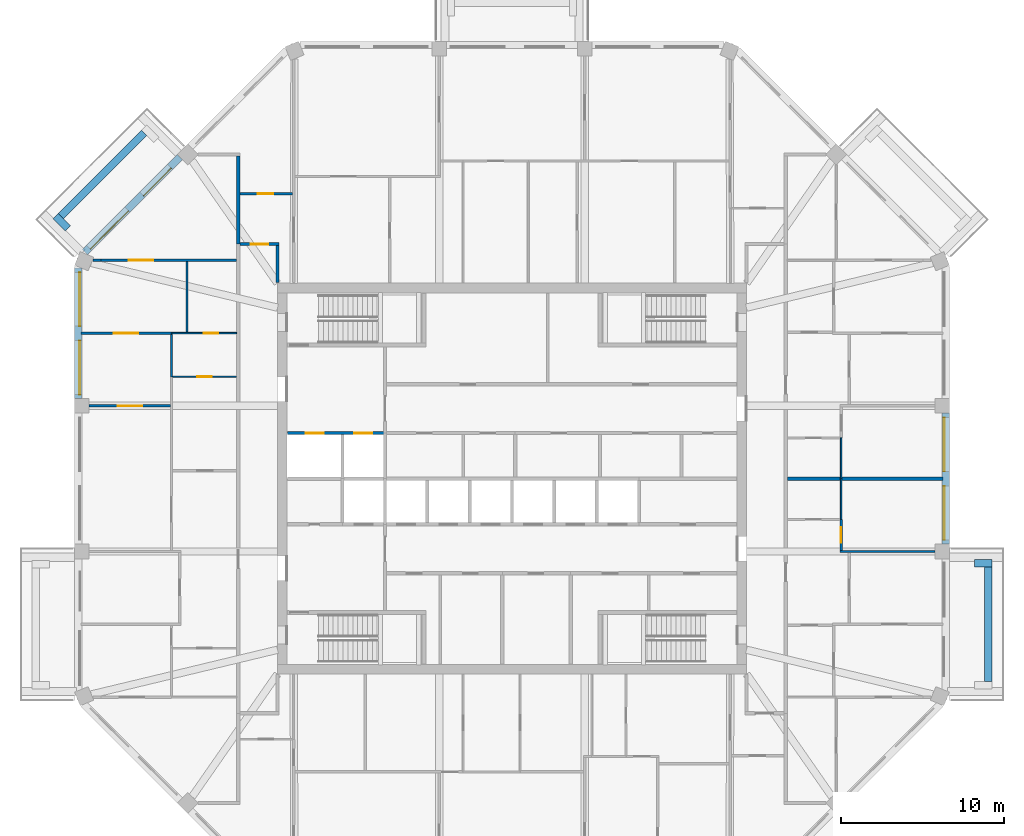
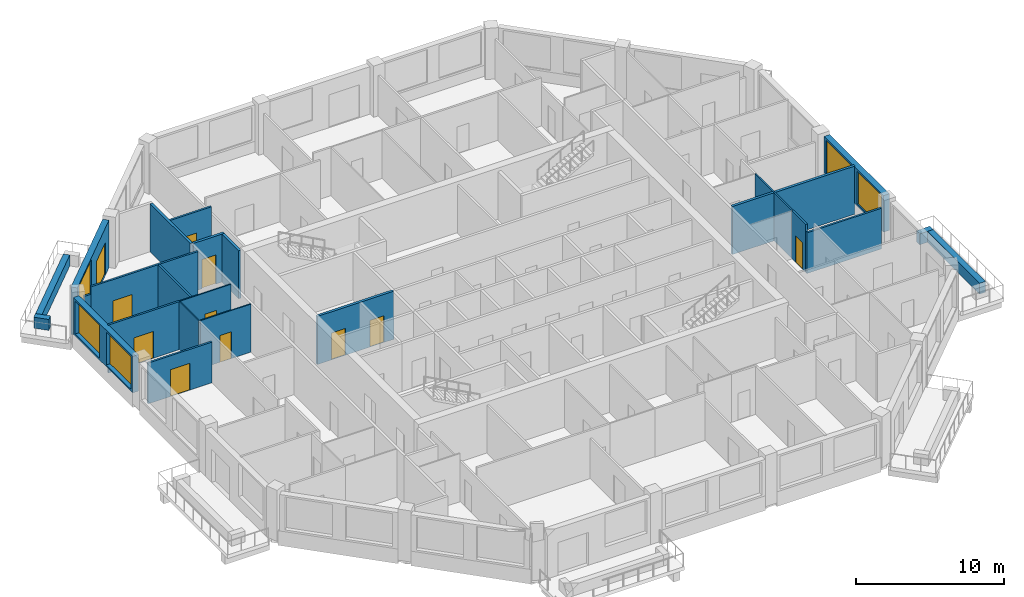
# One storey, part 7 of 11: 25 walls, 11 doors, 5 windows, 16 openings.
"""IFC4 building model written with IfcOpenShell, lengths in metres."""

import ifcopenshell
import ifcopenshell.guid

model = None  # the IFC model being written
_history = None  # IfcOwnerHistory: only IFC2X3 demands one
_inside = {}  # id of a spatial element -> (the spatial element, [elements in it])
_under = {}  # id of a project, library or spatial element -> (it, [spatial elements below it])
_declared = {}  # id of a project -> (the project, [libraries it declares])
_typed = {}  # id of a type object -> (the type object, [elements of that type])
_made_of = {}  # id of a material, layer set ... -> (it, [elements and type objects made of it])


def new_model(schema):
    """Start an empty IFC model of exactly this schema.

    Asked for "IFC4X3", IfcOpenShell would pick the latest addendum, in which some entities
    have other attributes; the version numbers below select the first issue.
    IFC2X3 requires an IfcOwnerHistory on every rooted entity: one is made here for all.
    """
    global model, _history
    if schema == "IFC4X3":
        model = ifcopenshell.file(schema_version=(4, 3, 0, 0))
    else:
        model = ifcopenshell.file(schema=schema)
    _inside.clear()
    _under.clear()
    _declared.clear()
    _typed.clear()
    _made_of.clear()
    _history = None
    if model.schema == "IFC2X3":
        org = make("IfcOrganization", Name="unknown")
        user = make(
            "IfcPersonAndOrganization",
            ThePerson=make("IfcPerson", FamilyName="unknown"),
            TheOrganization=org,
        )
        app = make(
            "IfcApplication",
            ApplicationDeveloper=org,
            Version="unknown",
            ApplicationFullName="unknown",
            ApplicationIdentifier="unknown",
        )
        _history = make(
            "IfcOwnerHistory",
            OwningUser=user,
            OwningApplication=app,
            ChangeAction="ADDED",
            CreationDate=0,
        )
    return model


def make(cls, **values):
    """One entity of the class cls with the attributes given. An attribute that is None is left unset."""
    return model.create_entity(
        cls, **{name: value for name, value in values.items() if value is not None}
    )


def rooted(cls, **values):
    """An entity with a GlobalId (a new one), such as an element, a storey or a relation."""
    return make(cls, GlobalId=ifcopenshell.guid.new(), OwnerHistory=_history, **values)


def si_unit(unit_type, name, prefix=None):
    """IfcSIUnit, for example si_unit("LENGTHUNIT", "METRE", prefix="MILLI")."""
    return make("IfcSIUnit", UnitType=unit_type, Prefix=prefix, Name=name)


def assignment(units):
    """IfcUnitAssignment: the units of a project."""
    return None if units is None else make("IfcUnitAssignment", Units=units)


def point(xyz):
    """IfcCartesianPoint."""
    return None if xyz is None else make("IfcCartesianPoint", Coordinates=xyz)


def direction(xyz):
    """IfcDirection."""
    return None if xyz is None else make("IfcDirection", DirectionRatios=xyz)


def frame(location, z_axis=None, x_axis=None):
    """IfcAxis2Placement3D, a coordinate frame: its origin and axes. An axis left out is left unset."""
    return make(
        "IfcAxis2Placement3D",
        Location=point(location),
        Axis=direction(z_axis),
        RefDirection=direction(x_axis),
    )


def frame_2d(location, x_axis=None):
    """IfcAxis2Placement2D, a coordinate frame in the plane: its origin and x axis."""
    return make(
        "IfcAxis2Placement2D", Location=point(location), RefDirection=direction(x_axis)
    )


def origin():
    """The frame at (0, 0, 0) with its axes left unset."""
    return frame((0.0, 0.0, 0.0))


def place(relative_to, where):
    """IfcLocalPlacement: puts the frame where relative to a parent placement (None: the world)."""
    return make(
        "IfcLocalPlacement", PlacementRelTo=relative_to, RelativePlacement=where
    )


def context(
    kind, dimensions, precision=None, world=None, true_north=None, identifier=None
):
    """IfcGeometricRepresentationContext, for example the 3D "Model" context."""
    return make(
        "IfcGeometricRepresentationContext",
        ContextIdentifier=identifier,
        ContextType=kind,
        CoordinateSpaceDimension=dimensions,
        Precision=precision,
        WorldCoordinateSystem=world,
        TrueNorth=true_north,
    )


def subcontext(parent, identifier, kind, view, scale=None):
    """IfcGeometricRepresentationSubContext, for example "Body" below "Model"."""
    return make(
        "IfcGeometricRepresentationSubContext",
        ContextIdentifier=identifier,
        ContextType=kind,
        ParentContext=parent,
        TargetScale=scale,
        TargetView=view,
    )


def project(units=None, contexts=None):
    """IfcProject with its units and contexts."""
    return rooted(
        "IfcProject",
        Name="project",
        RepresentationContexts=contexts,
        UnitsInContext=assignment(units),
    )


def spatial(cls, under=None, at=None, **own):
    """A site, building, storey or space (cls), placed at a placement, below another one or the project."""
    s = rooted(cls, ObjectPlacement=at, **own)
    if under is not None:
        _under.setdefault(under.id(), (under, []))[1].append(s)
    return s


def profile(cls, at=None, kind="AREA", **sizes):
    """A parametric profile (cls). Its sizes go by their IFC names, for example OverallWidth=200.0."""
    return make(cls, ProfileType=kind, Position=at, **sizes)


def rectangle(**sizes):
    """IfcRectangleProfileDef."""
    return profile("IfcRectangleProfileDef", **sizes)


def extrude(swept, where, along, depth):
    """IfcExtrudedAreaSolid: the profile swept, set in the frame where, extruded along a direction by depth."""
    return make(
        "IfcExtrudedAreaSolid",
        SweptArea=swept,
        Position=where,
        ExtrudedDirection=direction(along),
        Depth=depth,
    )


def shape(context_of_items, identifier, shape_type, items):
    """IfcShapeRepresentation: the items that make up one representation, for example the "Body"."""
    return make(
        "IfcShapeRepresentation",
        ContextOfItems=context_of_items,
        RepresentationIdentifier=identifier,
        RepresentationType=shape_type,
        Items=items,
    )


def material(Name=None, Category=None):
    """IfcMaterial."""
    return make("IfcMaterial", Name=Name, Category=Category)


def layer(
    of_material, thickness, ventilated=None, Name=None, Category=None, Priority=None
):
    """IfcMaterialLayer: one layer of a wall or slab, of a material (None: an air gap)."""
    return make(
        "IfcMaterialLayer",
        Material=of_material,
        LayerThickness=thickness,
        IsVentilated=ventilated,
        Name=Name,
        Category=Category,
        Priority=Priority,
    )


def layer_set(layers, Name=None):
    """IfcMaterialLayerSet."""
    return make("IfcMaterialLayerSet", MaterialLayers=layers, LayerSetName=Name)


def made_of(thing, what):
    """Note that an element or type object is made of a material, layer set ...; save() writes the relation."""
    if what is not None:
        _made_of.setdefault(what.id(), (what, []))[1].append(thing)
    return thing


def type_object(cls, material=None, **own):
    """A type object (cls), such as IfcWallType, which elements share."""
    return made_of(rooted(cls, **own), material)


def element(
    cls,
    number,
    at=None,
    inside=None,
    cuts=None,
    type_object=None,
    material=None,
    context=None,
    identifier="Body",
    shape_type=None,
    held_by="IfcProductDefinitionShape",
    body=None,
    shapes=None,
    **own,
):
    """One element of the class cls, such as IfcWall. Its Tag is "e" and its number.

    at: its placement. inside: the storey or other place that contains it. cuts: it is an
    opening in that element (IfcRelVoidsElement). A single representation is given by context,
    identifier, shape_type and body (its items); several are given by shapes. held_by: the class
    of the entity that holds the representations. save() writes the other relations.
    """
    e = rooted(cls, Tag="e%d" % number, ObjectPlacement=at, **own)
    if body is not None:
        shapes = [shape(context, identifier, shape_type, body)]
    if shapes is not None:
        e.Representation = make(held_by, Representations=shapes)
    if inside is not None:
        _inside.setdefault(inside.id(), (inside, []))[1].append(e)
    if cuts is not None:
        rooted(
            "IfcRelVoidsElement", RelatingBuildingElement=cuts, RelatedOpeningElement=e
        )
    if type_object is not None:
        _typed.setdefault(type_object.id(), (type_object, []))[1].append(e)
    return made_of(e, material)


def fill(opening, filler):
    """IfcRelFillsElement: the door or window that sits in an opening."""
    return rooted(
        "IfcRelFillsElement",
        RelatingOpeningElement=opening,
        RelatedBuildingElement=filler,
    )


def aggregate(whole, parts):
    """IfcRelAggregates: a whole, such as a stair, and the parts it consists of."""
    return rooted("IfcRelAggregates", RelatingObject=whole, RelatedObjects=parts)


def save(model, path):
    """Write the relations noted so far, then the file.

    IfcRelAggregates (storeys below a building ...), IfcRelContainedInSpatialStructure (elements
    in a storey), IfcRelDefinesByType, IfcRelAssociatesMaterial and IfcRelDeclares: one each for
    every whole, place, type object, material and project.
    """
    for whole, parts in _under.values():
        aggregate(whole, parts)
    for where, things in _inside.values():
        rooted(
            "IfcRelContainedInSpatialStructure",
            RelatedElements=things,
            RelatingStructure=where,
        )
    for kind, things in _typed.values():
        rooted("IfcRelDefinesByType", RelatedObjects=things, RelatingType=kind)
    for what, things in _made_of.values():
        rooted("IfcRelAssociatesMaterial", RelatedObjects=things, RelatingMaterial=what)
    for by, libraries in _declared.values():
        rooted("IfcRelDeclares", RelatingContext=by, RelatedDefinitions=libraries)
    model.write(path)


model = new_model("IFC4")

# Units and contexts
model_context = context("Model", 3, precision=1e-05, world=origin(), true_north=direction((0.0, 1.0)))
body_context = subcontext(model_context, "Body", "Model", "MODEL_VIEW")
ifc_project = project(units=[si_unit("LENGTHUNIT", "METRE"), si_unit("AREAUNIT", "SQUARE_METRE"), si_unit("VOLUMEUNIT", "CUBIC_METRE"), si_unit("PLANEANGLEUNIT", "RADIAN"), si_unit("MASSUNIT", "GRAM", prefix="KILO")], contexts=[model_context])

# Site, building, storey
site_placement = place(None, origin())
site = spatial("IfcSite", under=ifc_project, at=site_placement, CompositionType="ELEMENT")
building_placement = place(site_placement, origin())
building = spatial("IfcBuilding", under=site, at=building_placement, Name="Msitu Wima Residences", CompositionType="ELEMENT")
storey_placement = place(building_placement, frame((0.0, 0.0, 268.5)))
storey = spatial("IfcBuildingStorey", under=building, at=storey_placement, Name="L62", CompositionType="ELEMENT", Elevation=268.5)

# Walls
ifc_material_1 = material(Name="Facing brick")
ifc_layer_1 = layer(ifc_material_1, 0.06494140625, Name="Facing brick")
ifc_material_2 = material(Name="Concrete C40/50", Category="concrete")
ifc_layer_2 = layer(ifc_material_2, 0.156005859375, Name="Concrete C40/50")
ifc_material_3 = material(Name="Waterproofing membrane")
ifc_layer_3 = layer(ifc_material_3, 0.00390625, Name="Waterproofing membrane")
ifc_material_4 = material(Name="Planting soil and planting")
ifc_layer_4 = layer(ifc_material_4, 0.22509765625, Name="Planting soil and planting")
ifc_layer_set_1 = layer_set([ifc_layer_1, ifc_layer_2, ifc_layer_3, ifc_layer_4], Name="Concrete C40/50")
wall_type_1 = type_object("IfcWallType", Name="Balcony planter PLANTER PL450", PredefinedType="USERDEFINED", material=ifc_layer_set_1)
wall_1_placement = place(storey_placement, frame((29.22509765625, -12.455810546875, 0.0), z_axis=(0.0, 0.0, 1.0), x_axis=(0.0, 1.0, 0.0)))
element("IfcWall", 1, at=wall_1_placement, inside=storey, type_object=wall_type_1, Name="Balcony planter E0 L62", ObjectType="PLANTER", PredefinedType="USERDEFINED", context=body_context, shape_type="SweptSolid", body=[
    extrude(rectangle(XDim=7.037109375, YDim=0.449951171875, at=frame_2d((3.5185546875, 0.0))), origin(), (0.0, 0.0, 1.0), 0.89990234375),
])
wall_2_placement = place(storey_placement, frame((28.39990234375, -5.193603515625, 0.0), z_axis=(0.0, 0.0, 1.0), x_axis=(1.0, 0.0, 0.0)))
element("IfcWall", 2, at=wall_2_placement, inside=storey, type_object=wall_type_1, Name="Balcony planter E0 L62", ObjectType="PLANTER", PredefinedType="USERDEFINED", context=body_context, shape_type="SweptSolid", body=[
    extrude(rectangle(XDim=1.050048828125, YDim=0.449951171875, at=frame_2d((0.52490234375, 0.0))), origin(), (0.0, 0.0, 1.0), 0.89990234375),
])
wall_3_placement = place(storey_placement, frame((-22.572265625, 21.228759765625, 0.0), z_axis=(0.0, 0.0, 1.0), x_axis=(-0.707106781187, -0.707106781187, 0.0)))
element("IfcWall", 3, at=wall_3_placement, inside=storey, type_object=wall_type_1, Name="Balcony planter NW1 L62", ObjectType="PLANTER", PredefinedType="USERDEFINED", context=body_context, shape_type="SweptSolid", body=[
    extrude(rectangle(XDim=7.23828125, YDim=0.449951171875, at=frame_2d((3.619140625, 0.0))), origin(), (0.0, 0.0, 1.0), 0.89990234375),
])
wall_4_placement = place(storey_placement, frame((-27.26611328125, 15.3681640625, 0.0), z_axis=(0.0, 0.0, 1.0), x_axis=(-0.707223014731, 0.706990528533, 0.0)))
element("IfcWall", 4, at=wall_4_placement, inside=storey, type_object=wall_type_1, Name="Balcony planter NW1 L62", ObjectType="PLANTER", PredefinedType="USERDEFINED", context=body_context, shape_type="SweptSolid", body=[
    extrude(rectangle(XDim=1.050048828125, YDim=0.449951171875, at=frame_2d((0.52490234375, 0.0))), origin(), (0.0, 0.0, 1.0), 0.89990234375),
])

# Wall, openings, windows
ifc_material_5 = material(Name="Brick (red buff mix)", Category="masonry")
ifc_layer_5 = layer(ifc_material_5, 0.449951171875)
ifc_layer_set_2 = layer_set([ifc_layer_5], Name="Brick (red buff mix)")
wall_type_2 = type_object("IfcWallType", Name="Brick infill wall BW450", PredefinedType="SOLIDWALL", material=ifc_layer_set_2)
wall_5_placement = place(storey_placement, frame((26.625, -4.0185546875, 0.89990234375), z_axis=(0.0, 0.0, 1.0), x_axis=(0.0, 1.0, 0.0)))
wall_5 = element("IfcWall", 5, at=wall_5_placement, inside=storey, type_object=wall_type_2, Name="Brick infill wall L62 E1", PredefinedType="SOLIDWALL", context=body_context, shape_type="SweptSolid", body=[
    extrude(rectangle(XDim=8.037109375, YDim=0.449951171875, at=frame_2d((4.0185546875, 0.0))), origin(), (0.0, 0.0, 1.0), 3.0),
])
opening_1_placement = place(wall_5_placement, frame((0.2685546875, 0.0, 0.14990234375)))
opening_1 = element("IfcOpeningElement", 6, at=opening_1_placement, cuts=wall_5, Name="Opening W60-62.002", PredefinedType="OPENING", context=body_context, shape_type="SweptSolid", body=[
    extrude(rectangle(XDim=3.300048828125, YDim=2.699951171875, at=frame_2d((1.64990234375, 1.35009765625))), frame((0.0, 0.23486328125, 0.0), z_axis=(0.0, -1.0, 0.0), x_axis=(1.0, 0.0, 0.0)), (0.0, 0.0, 1.0), 0.469970703125),
])
opening_2_placement = place(wall_5_placement, frame((4.46875, 0.0, 0.14990234375)))
opening_2 = element("IfcOpeningElement", 7, at=opening_2_placement, cuts=wall_5, Name="Opening W60-62.003", PredefinedType="OPENING", context=body_context, shape_type="SweptSolid", body=[
    extrude(rectangle(XDim=3.300048828125, YDim=2.699951171875, at=frame_2d((1.64990234375, 1.35009765625))), frame((0.0, 0.23486328125, 0.0), z_axis=(0.0, -1.0, 0.0), x_axis=(1.0, 0.0, 0.0)), (0.0, 0.0, 1.0), 0.469970703125),
])
ifc_material_6 = material(Name="Anodised aluminium, bronze finish, clear low-emissivity double glazing", Category="aluminium")
window_type = type_object("IfcWindowType", Name="Window W3300x2700", PartitioningType="DOUBLE_PANEL_VERTICAL", PredefinedType="WINDOW", material=ifc_material_6)
window_1_placement = place(opening_1_placement, origin())
window_1 = element("IfcWindow", 8, at=window_1_placement, inside=storey, type_object=window_type, Name="Window L62 E1.1", OverallHeight=2.699951171875, OverallWidth=3.300048828125, PartitioningType="SINGLE_PANEL", PredefinedType="WINDOW", context=body_context, shape_type="SweptSolid", body=[
    extrude(rectangle(XDim=3.300048828125, YDim=2.699951171875, at=frame_2d((1.64990234375, 1.35009765625))), frame((0.0, 0.135009765625, 0.0), z_axis=(0.0, -1.0, 0.0), x_axis=(1.0, 0.0, 0.0)), (0.0, 0.0, 1.0), 0.06005859375),
])
fill(opening_1, window_1)
window_2_placement = place(opening_2_placement, origin())
window_2 = element("IfcWindow", 9, at=window_2_placement, inside=storey, type_object=window_type, Name="Window L62 E1.2", OverallHeight=2.699951171875, OverallWidth=3.300048828125, PartitioningType="SINGLE_PANEL", PredefinedType="WINDOW", context=body_context, shape_type="SweptSolid", body=[
    extrude(rectangle(XDim=3.300048828125, YDim=2.699951171875, at=frame_2d((1.64990234375, 1.35009765625))), frame((0.0, 0.135009765625, 0.0), z_axis=(0.0, -1.0, 0.0), x_axis=(1.0, 0.0, 0.0)), (0.0, 0.0, 1.0), 0.06005859375),
])
fill(opening_2, window_2)

# Wall, openings, door, window
wall_6_placement = place(storey_placement, frame((-20.380126953125, 19.743896484375, 0.0), z_axis=(0.0, 0.0, 1.0), x_axis=(-0.707106781187, -0.707106781187, 0.0)))
wall_6 = element("IfcWall", 10, at=wall_6_placement, inside=storey, type_object=wall_type_2, Name="Brick infill wall L62 NW1", PredefinedType="SOLIDWALL", context=body_context, shape_type="SweptSolid", body=[
    extrude(rectangle(XDim=8.251220703125, YDim=0.449951171875, at=frame_2d((4.12548828125, 0.0))), origin(), (0.0, 0.0, 1.0), 3.89990234375),
])
opening_3_placement = place(wall_6_placement, frame((0.86279296875, 0.0, 0.0)))
opening_3 = element("IfcOpeningElement", 11, at=opening_3_placement, cuts=wall_6, Name="Opening D60-62.004", PredefinedType="OPENING", context=body_context, shape_type="SweptSolid", body=[
    extrude(rectangle(XDim=2.39990234375, YDim=2.699951171875, at=frame_2d((1.199951171875, 1.35009765625))), frame((0.0, 0.23486328125, 0.0), z_axis=(0.0, -1.0, 0.0), x_axis=(1.0, 0.0, 0.0)), (0.0, 0.0, 1.0), 0.469970703125),
])
opening_4_placement = place(wall_6_placement, frame((4.57568359375, 0.0, 1.050048828125)))
opening_4 = element("IfcOpeningElement", 12, at=opening_4_placement, cuts=wall_6, Name="Opening W60-62.016", PredefinedType="OPENING", context=body_context, shape_type="SweptSolid", body=[
    extrude(rectangle(XDim=3.300048828125, YDim=2.699951171875, at=frame_2d((1.64990234375, 1.35009765625))), frame((0.0, 0.23486328125, 0.0), z_axis=(0.0, -1.0, 0.0), x_axis=(1.0, 0.0, 0.0)), (0.0, 0.0, 1.0), 0.469970703125),
])
door_type_1 = type_object("IfcDoorType", Name="Balcony door D2400x2700", OperationType="SLIDING_TO_LEFT", PredefinedType="DOOR", material=ifc_material_6)
door_1_placement = place(opening_3_placement, origin())
door_1 = element("IfcDoor", 13, at=door_1_placement, inside=storey, type_object=door_type_1, Name="Balcony door L62 NW1", OperationType="SINGLE_SWING_LEFT", OverallHeight=2.699951171875, OverallWidth=2.39990234375, PredefinedType="DOOR", context=body_context, shape_type="SweptSolid", body=[
    extrude(rectangle(XDim=2.39990234375, YDim=2.699951171875, at=frame_2d((1.199951171875, 1.35009765625))), frame((0.0, 0.1298828125, 0.0), z_axis=(0.0, -1.0, 0.0), x_axis=(1.0, 0.0, 0.0)), (0.0, 0.0, 1.0), 0.050048828125),
])
fill(opening_3, door_1)
window_3_placement = place(opening_4_placement, origin())
window_3 = element("IfcWindow", 14, at=window_3_placement, inside=storey, type_object=window_type, Name="Window L62 NW1.2", OverallHeight=2.699951171875, OverallWidth=3.300048828125, PartitioningType="SINGLE_PANEL", PredefinedType="WINDOW", context=body_context, shape_type="SweptSolid", body=[
    extrude(rectangle(XDim=3.300048828125, YDim=2.699951171875, at=frame_2d((1.64990234375, 1.35009765625))), frame((0.0, 0.135009765625, 0.0), z_axis=(0.0, -1.0, 0.0), x_axis=(1.0, 0.0, 0.0)), (0.0, 0.0, 1.0), 0.06005859375),
])
fill(opening_4, window_3)

# Wall, openings, windows
wall_7_placement = place(storey_placement, frame((-26.625, 12.918701171875, 0.89990234375), z_axis=(0.0, 0.0, 1.0), x_axis=(0.0, -1.0, 0.0)))
wall_7 = element("IfcWall", 15, at=wall_7_placement, inside=storey, type_object=wall_type_2, Name="Brick infill wall L62 W0", PredefinedType="SOLIDWALL", context=body_context, shape_type="SweptSolid", body=[
    extrude(rectangle(XDim=8.0, YDim=0.449951171875, at=frame_2d((4.0, 0.0))), origin(), (0.0, 0.0, 1.0), 3.0),
])
opening_5_placement = place(wall_7_placement, frame((0.25, 0.0, 0.14990234375)))
opening_5 = element("IfcOpeningElement", 16, at=opening_5_placement, cuts=wall_7, Name="Opening W60-62.029", PredefinedType="OPENING", context=body_context, shape_type="SweptSolid", body=[
    extrude(rectangle(XDim=3.300048828125, YDim=2.699951171875, at=frame_2d((1.64990234375, 1.35009765625))), frame((0.0, 0.23486328125, 0.0), z_axis=(0.0, -1.0, 0.0), x_axis=(1.0, 0.0, 0.0)), (0.0, 0.0, 1.0), 0.469970703125),
])
opening_6_placement = place(wall_7_placement, frame((4.4501953125, 0.0, 0.14990234375)))
opening_6 = element("IfcOpeningElement", 17, at=opening_6_placement, cuts=wall_7, Name="Opening W60-62.030", PredefinedType="OPENING", context=body_context, shape_type="SweptSolid", body=[
    extrude(rectangle(XDim=3.300048828125, YDim=2.699951171875, at=frame_2d((1.64990234375, 1.35009765625))), frame((0.0, 0.23486328125, 0.0), z_axis=(0.0, -1.0, 0.0), x_axis=(1.0, 0.0, 0.0)), (0.0, 0.0, 1.0), 0.469970703125),
])
window_4_placement = place(opening_5_placement, origin())
window_4 = element("IfcWindow", 18, at=window_4_placement, inside=storey, type_object=window_type, Name="Window L62 W0.1", OverallHeight=2.699951171875, OverallWidth=3.300048828125, PartitioningType="SINGLE_PANEL", PredefinedType="WINDOW", context=body_context, shape_type="SweptSolid", body=[
    extrude(rectangle(XDim=3.300048828125, YDim=2.699951171875, at=frame_2d((1.64990234375, 1.35009765625))), frame((0.0, 0.135009765625, 0.0), z_axis=(0.0, -1.0, 0.0), x_axis=(1.0, 0.0, 0.0)), (0.0, 0.0, 1.0), 0.06005859375),
])
fill(opening_5, window_4)
window_5_placement = place(opening_6_placement, origin())
window_5 = element("IfcWindow", 19, at=window_5_placement, inside=storey, type_object=window_type, Name="Window L62 W0.2", OverallHeight=2.699951171875, OverallWidth=3.300048828125, PartitioningType="SINGLE_PANEL", PredefinedType="WINDOW", context=body_context, shape_type="SweptSolid", body=[
    extrude(rectangle(XDim=3.300048828125, YDim=2.699951171875, at=frame_2d((1.64990234375, 1.35009765625))), frame((0.0, 0.135009765625, 0.0), z_axis=(0.0, -1.0, 0.0), x_axis=(1.0, 0.0, 0.0)), (0.0, 0.0, 1.0), 0.06005859375),
])
fill(opening_6, window_5)

# Wall, opening, door
ifc_material_7 = material(Name="Plaster")
ifc_layer_6 = layer(ifc_material_7, 0.011962890625, Name="Plaster")
ifc_material_8 = material(Name="Concrete blockwork", Category="masonry")
ifc_layer_7 = layer(ifc_material_8, 0.176025390625, Name="Concrete blockwork")
ifc_layer_8 = layer(ifc_material_7, 0.011962890625, Name="Plaster")
ifc_layer_set_3 = layer_set([ifc_layer_6, ifc_layer_7, ifc_layer_8], Name="Concrete blockwork")
wall_type_3 = type_object("IfcWallType", Name="Corridor wall FW200", PredefinedType="PARTITIONING", material=ifc_layer_set_3)
wall_8_placement = place(storey_placement, frame((-16.699951171875, 14.39990234375, 0.0), z_axis=(0.0, 0.0, 1.0), x_axis=(1.0, 0.0, 0.0)))
wall_8 = element("IfcWall", 20, at=wall_8_placement, inside=storey, type_object=wall_type_3, Name="Corridor wall", PredefinedType="PARTITIONING", context=body_context, shape_type="SweptSolid", body=[
    extrude(rectangle(XDim=2.39990234375, YDim=0.199951171875, at=frame_2d((1.199951171875, 0.0))), origin(), (0.0, 0.0, 1.0), 3.949951171875),
])
opening_7_placement = place(wall_8_placement, frame((0.64990234375, 0.0, 0.0)))
opening_7 = element("IfcOpeningElement", 21, at=opening_7_placement, cuts=wall_8, Name="Opening D60-62.026", PredefinedType="OPENING", context=body_context, shape_type="SweptSolid", body=[
    extrude(rectangle(XDim=1.10009765625, YDim=2.39990234375, at=frame_2d((0.550048828125, 1.199951171875))), frame((0.0, 0.10986328125, 0.0), z_axis=(0.0, -1.0, 0.0), x_axis=(1.0, 0.0, 0.0)), (0.0, 0.0, 1.0), 0.219970703125),
])
ifc_material_9 = material(Name="Timber flush door, fire resisting, self-closing", Category="wood")
door_type_2 = type_object("IfcDoorType", Name="Flat entrance door D01 1100x2400", OperationType="SINGLE_SWING_LEFT", PredefinedType="DOOR", material=ifc_material_9)
door_2_placement = place(opening_7_placement, origin())
door_2 = element("IfcDoor", 22, at=door_2_placement, inside=storey, type_object=door_type_2, Name="Flat entrance door", OperationType="SINGLE_SWING_LEFT", OverallHeight=2.39990234375, OverallWidth=1.10009765625, PredefinedType="DOOR", context=body_context, shape_type="SweptSolid", body=[
    extrude(rectangle(XDim=1.10009765625, YDim=2.39990234375, at=frame_2d((0.550048828125, 1.199951171875))), frame((0.0, 0.02490234375, 0.0), z_axis=(0.0, -1.0, 0.0), x_axis=(1.0, 0.0, 0.0)), (0.0, 0.0, 1.0), 0.050048828125),
])
fill(opening_7, door_2)

# Wall
wall_9_placement = place(storey_placement, frame((-14.39990234375, 12.030029296875, 0.0), z_axis=(0.0, 0.0, 1.0), x_axis=(0.0, 1.0, 0.0)))
element("IfcWall", 23, at=wall_9_placement, inside=storey, type_object=wall_type_3, Name="Corridor wall", PredefinedType="PARTITIONING", context=body_context, shape_type="SweptSolid", body=[
    extrude(rectangle(XDim=2.27001953125, YDim=0.199951171875, at=frame_2d((1.135009765625, 0.0))), origin(), (0.0, 0.0, 1.0), 3.949951171875),
])

# Wall, opening, door
ifc_layer_9 = layer(ifc_material_7, 0.011962890625, Name="Plaster")
ifc_layer_10 = layer(ifc_material_8, 0.1259765625, Name="Concrete blockwork")
ifc_layer_11 = layer(ifc_material_7, 0.011962890625, Name="Plaster")
ifc_layer_set_4 = layer_set([ifc_layer_9, ifc_layer_10, ifc_layer_11], Name="Concrete blockwork")
wall_type_4 = type_object("IfcWallType", Name="Partition PW150", PredefinedType="PARTITIONING", material=ifc_layer_set_4)
wall_10_placement = place(storey_placement, frame((-25.949951171875, 4.46875, 0.0), z_axis=(0.0, 0.0, 1.0), x_axis=(1.0, 0.0, 0.0)))
wall_10 = element("IfcWall", 24, at=wall_10_placement, inside=storey, type_object=wall_type_4, Name="Partition", PredefinedType="PARTITIONING", context=body_context, shape_type="SweptSolid", body=[
    extrude(rectangle(XDim=4.974853515625, YDim=0.14990234375, at=frame_2d((2.4873046875, 0.0))), origin(), (0.0, 0.0, 1.0), 3.35009765625),
])
opening_8_placement = place(wall_10_placement, frame((1.75, 0.0, 0.0)))
opening_8 = element("IfcOpeningElement", 25, at=opening_8_placement, cuts=wall_10, Name="Opening D60-62.049", PredefinedType="OPENING", context=body_context, shape_type="SweptSolid", body=[
    extrude(rectangle(XDim=1.5, YDim=2.199951171875, at=frame_2d((0.75, 1.10009765625))), frame((0.0, 0.0849609375, 0.0), z_axis=(0.0, -1.0, 0.0), x_axis=(1.0, 0.0, 0.0)), (0.0, 0.0, 1.0), 0.169921875),
])
ifc_material_10 = material(Name="Timber double door", Category="wood")
door_type_3 = type_object("IfcDoorType", Name="Double door D04 1500x2200", OperationType="DOUBLE_DOOR_SINGLE_SWING", PredefinedType="DOOR", material=ifc_material_10)
door_3_placement = place(opening_8_placement, origin())
door_3 = element("IfcDoor", 26, at=door_3_placement, inside=storey, type_object=door_type_3, Name="Double door", OperationType="DOUBLE_DOOR_SINGLE_SWING", OverallHeight=2.199951171875, OverallWidth=1.5, PredefinedType="DOOR", context=body_context, shape_type="SweptSolid", body=[
    extrude(rectangle(XDim=1.5, YDim=2.199951171875, at=frame_2d((0.75, 1.10009765625))), frame((0.0, 0.02490234375, 0.0), z_axis=(0.0, -1.0, 0.0), x_axis=(1.0, 0.0, 0.0)), (0.0, 0.0, 1.0), 0.050048828125),
])
fill(opening_8, door_3)

wall_11_placement = place(storey_placement, frame((-26.455078125, 8.937255859375, 0.0), z_axis=(0.0, 0.0, 1.0), x_axis=(1.0, 0.0, 0.0)))
wall_11 = element("IfcWall", 27, at=wall_11_placement, inside=storey, type_object=wall_type_4, Name="Partition", PredefinedType="PARTITIONING", context=body_context, shape_type="SweptSolid", body=[
    extrude(rectangle(XDim=5.5751953125, YDim=0.14990234375, at=frame_2d((2.78759765625, 0.0))), origin(), (0.0, 0.0, 1.0), 3.949951171875),
])
opening_9_placement = place(wall_11_placement, frame((2.0, 0.0, 0.0)))
opening_9 = element("IfcOpeningElement", 28, at=opening_9_placement, cuts=wall_11, Name="Opening D60-62.041", PredefinedType="OPENING", context=body_context, shape_type="SweptSolid", body=[
    extrude(rectangle(XDim=1.5, YDim=2.199951171875, at=frame_2d((0.75, 1.10009765625))), frame((0.0, 0.0849609375, 0.0), z_axis=(0.0, -1.0, 0.0), x_axis=(1.0, 0.0, 0.0)), (0.0, 0.0, 1.0), 0.169921875),
])
door_4_placement = place(opening_9_placement, origin())
door_4 = element("IfcDoor", 29, at=door_4_placement, inside=storey, type_object=door_type_3, Name="Double door", OperationType="DOUBLE_DOOR_SINGLE_SWING", OverallHeight=2.199951171875, OverallWidth=1.5, PredefinedType="DOOR", context=body_context, shape_type="SweptSolid", body=[
    extrude(rectangle(XDim=1.5, YDim=2.199951171875, at=frame_2d((0.75, 1.10009765625))), frame((0.0, 0.02490234375, 0.0), z_axis=(0.0, -1.0, 0.0), x_axis=(1.0, 0.0, 0.0)), (0.0, 0.0, 1.0), 0.050048828125),
])
fill(opening_9, door_4)

# Wall
wall_12_placement = place(storey_placement, frame((-25.731201171875, 13.406005859375, 0.0), z_axis=(0.0, 0.0, 1.0), x_axis=(1.0, 0.0, 0.0)))
element("IfcWall", 30, at=wall_12_placement, inside=storey, type_object=wall_type_4, Name="Partition", PredefinedType="PARTITIONING", context=body_context, shape_type="SweptSolid", body=[
    extrude(rectangle(XDim=0.507080078125, YDim=0.14990234375, at=frame_2d((0.25341796875, 0.0))), origin(), (0.0, 0.0, 1.0), 3.35009765625),
])

# Wall, opening, door
wall_13_placement = place(storey_placement, frame((-25.22412109375, 13.406005859375, 0.0), z_axis=(0.0, 0.0, 1.0), x_axis=(1.0, 0.0, 0.0)))
wall_13 = element("IfcWall", 31, at=wall_13_placement, inside=storey, type_object=wall_type_4, Name="Partition", PredefinedType="PARTITIONING", context=body_context, shape_type="SweptSolid", body=[
    extrude(rectangle(XDim=8.32421875, YDim=0.14990234375, at=frame_2d((4.162109375, 0.0))), origin(), (0.0, 0.0, 1.0), 3.949951171875),
])
opening_10_placement = place(wall_13_placement, frame((1.69287109375, 0.0, 0.0)))
opening_10 = element("IfcOpeningElement", 32, at=opening_10_placement, cuts=wall_13, Name="Opening D60-62.042", PredefinedType="OPENING", context=body_context, shape_type="SweptSolid", body=[
    extrude(rectangle(XDim=1.5, YDim=2.199951171875, at=frame_2d((0.75, 1.10009765625))), frame((0.0, 0.0849609375, 0.0), z_axis=(0.0, -1.0, 0.0), x_axis=(1.0, 0.0, 0.0)), (0.0, 0.0, 1.0), 0.169921875),
])
door_5_placement = place(opening_10_placement, origin())
door_5 = element("IfcDoor", 33, at=door_5_placement, inside=storey, type_object=door_type_3, Name="Double door", OperationType="DOUBLE_DOOR_SINGLE_SWING", OverallHeight=2.199951171875, OverallWidth=1.5, PredefinedType="DOOR", context=body_context, shape_type="SweptSolid", body=[
    extrude(rectangle(XDim=1.5, YDim=2.199951171875, at=frame_2d((0.75, 1.10009765625))), frame((0.0, 0.02490234375, 0.0), z_axis=(0.0, -1.0, 0.0), x_axis=(1.0, 0.0, 0.0)), (0.0, 0.0, 1.0), 0.050048828125),
])
fill(opening_10, door_5)

# Wall
wall_14_placement = place(storey_placement, frame((-19.949951171875, 8.9873046875, 0.0), z_axis=(0.0, 0.0, 1.0), x_axis=(0.0, 1.0, 0.0)))
element("IfcWall", 34, at=wall_14_placement, inside=storey, type_object=wall_type_4, Name="Partition", PredefinedType="PARTITIONING", context=body_context, shape_type="SweptSolid", body=[
    extrude(rectangle(XDim=4.343505859375, YDim=0.14990234375, at=frame_2d((2.171875, 0.0))), origin(), (0.0, 0.0, 1.0), 3.949951171875),
])

# Wall, opening, door
wall_15_placement = place(storey_placement, frame((-16.699951171875, 17.5, 0.0), z_axis=(0.0, 0.0, 1.0), x_axis=(1.0, 0.0, 0.0)))
wall_15 = element("IfcWall", 35, at=wall_15_placement, inside=storey, type_object=wall_type_4, Name="Partition", PredefinedType="PARTITIONING", context=body_context, shape_type="SweptSolid", body=[
    extrude(rectangle(XDim=3.218994140625, YDim=0.14990234375, at=frame_2d((1.609375, 0.0))), origin(), (0.0, 0.0, 1.0), 3.949951171875),
])
opening_11_placement = place(wall_15_placement, frame((1.10009765625, 0.0, 0.0)))
opening_11 = element("IfcOpeningElement", 36, at=opening_11_placement, cuts=wall_15, Name="Opening D60-62.032", PredefinedType="OPENING", context=body_context, shape_type="SweptSolid", body=[
    extrude(rectangle(XDim=0.949951171875, YDim=2.199951171875, at=frame_2d((0.47509765625, 1.10009765625))), frame((0.0, 0.0849609375, 0.0), z_axis=(0.0, -1.0, 0.0), x_axis=(1.0, 0.0, 0.0)), (0.0, 0.0, 1.0), 0.169921875),
])
ifc_material_11 = material(Name="Timber flush door", Category="wood")
door_type_4 = type_object("IfcDoorType", Name="Room door D12 950x2200", OperationType="SINGLE_SWING_LEFT", PredefinedType="DOOR", material=ifc_material_11)
door_6_placement = place(opening_11_placement, origin())
door_6 = element("IfcDoor", 37, at=door_6_placement, inside=storey, type_object=door_type_4, Name="Room door", OperationType="SINGLE_SWING_LEFT", OverallHeight=2.199951171875, OverallWidth=0.949951171875, PredefinedType="DOOR", context=body_context, shape_type="SweptSolid", body=[
    extrude(rectangle(XDim=0.949951171875, YDim=2.199951171875, at=frame_2d((0.47509765625, 1.10009765625))), frame((0.0, 0.02490234375, 0.0), z_axis=(0.0, -1.0, 0.0), x_axis=(1.0, 0.0, 0.0)), (0.0, 0.0, 1.0), 0.050048828125),
])
fill(opening_11, door_6)

wall_16_placement = place(storey_placement, frame((20.199951171875, -4.3935546875, 0.0), z_axis=(0.0, 0.0, 1.0), x_axis=(0.0, 1.0, 0.0)))
wall_16 = element("IfcWall", 38, at=wall_16_placement, inside=storey, type_object=wall_type_4, Name="Partition", PredefinedType="PARTITIONING", context=body_context, shape_type="SweptSolid", body=[
    extrude(rectangle(XDim=1.8935546875, YDim=0.14990234375, at=frame_2d((0.94677734375, 0.0))), origin(), (0.0, 0.0, 1.0), 3.949951171875),
])
opening_12_placement = place(wall_16_placement, frame((0.449951171875, 0.0, 0.0)))
opening_12 = element("IfcOpeningElement", 39, at=opening_12_placement, cuts=wall_16, Name="Opening D60-62.011", PredefinedType="OPENING", context=body_context, shape_type="SweptSolid", body=[
    extrude(rectangle(XDim=0.949951171875, YDim=2.199951171875, at=frame_2d((0.47509765625, 1.10009765625))), frame((0.0, 0.0849609375, 0.0), z_axis=(0.0, -1.0, 0.0), x_axis=(1.0, 0.0, 0.0)), (0.0, 0.0, 1.0), 0.169921875),
])
door_7_placement = place(opening_12_placement, origin())
door_7 = element("IfcDoor", 40, at=door_7_placement, inside=storey, type_object=door_type_4, Name="Room door", OperationType="SINGLE_SWING_RIGHT", OverallHeight=2.199951171875, OverallWidth=0.949951171875, PredefinedType="DOOR", context=body_context, shape_type="SweptSolid", body=[
    extrude(rectangle(XDim=0.949951171875, YDim=2.199951171875, at=frame_2d((0.47509765625, 1.10009765625))), frame((0.0, 0.02490234375, 0.0), z_axis=(0.0, -1.0, 0.0), x_axis=(1.0, 0.0, 0.0)), (0.0, 0.0, 1.0), 0.050048828125),
])
fill(opening_12, door_7)

# Walls
wall_17_placement = place(storey_placement, frame((20.125, -4.46875, 0.0), z_axis=(0.0, 0.0, 1.0), x_axis=(1.0, 0.0, 0.0)))
element("IfcWall", 41, at=wall_17_placement, inside=storey, type_object=wall_type_4, Name="Partition", PredefinedType="PARTITIONING", context=body_context, shape_type="SweptSolid", body=[
    extrude(rectangle(XDim=5.824951171875, YDim=0.14990234375, at=frame_2d((2.91259765625, 0.0))), origin(), (0.0, 0.0, 1.0), 3.35009765625),
])
ifc_layer_12 = layer(ifc_material_7, 0.011962890625, Name="Plaster")
ifc_material_12 = material(Name="Dense concrete blockwork", Category="masonry")
ifc_layer_13 = layer(ifc_material_12, 0.176025390625, Name="Dense concrete blockwork")
ifc_layer_14 = layer(ifc_material_7, 0.011962890625, Name="Plaster")
ifc_layer_set_5 = layer_set([ifc_layer_12, ifc_layer_13, ifc_layer_14], Name="Dense concrete blockwork")
wall_type_5 = type_object("IfcWallType", Name="Party wall PW200", PredefinedType="PARTITIONING", material=ifc_layer_set_5)
wall_18_placement = place(storey_placement, frame((-16.800048828125, 14.39990234375, 0.0), z_axis=(0.0, 0.0, 1.0), x_axis=(0.0, 1.0, 0.0)))
element("IfcWall", 42, at=wall_18_placement, inside=storey, type_object=wall_type_5, Name="Party wall", PredefinedType="PARTITIONING", context=body_context, shape_type="SweptSolid", body=[
    extrude(rectangle(XDim=5.403076171875, YDim=0.199951171875, at=frame_2d((2.70166015625, 0.0))), origin(), (0.0, 0.0, 1.0), 3.949951171875),
])
wall_19_placement = place(storey_placement, frame((16.89990234375, 0.0, 0.0), z_axis=(0.0, 0.0, 1.0), x_axis=(1.0, 0.0, 0.0)))
element("IfcWall", 43, at=wall_19_placement, inside=storey, type_object=wall_type_5, Name="Party wall", PredefinedType="PARTITIONING", context=body_context, shape_type="SweptSolid", body=[
    extrude(rectangle(XDim=9.55517578125, YDim=0.199951171875, at=frame_2d((4.777587890625, 0.0))), origin(), (0.0, 0.0, 1.0), 3.949951171875),
])

# Wall, openings, doors
ifc_material_13 = material(Name="Fire-rated board")
ifc_layer_15 = layer(ifc_material_13, 0.02490234375, Name="Fire-rated board")
ifc_material_14 = material(Name="Light-gauge stud framing with mineral wool")
ifc_layer_16 = layer(ifc_material_14, 0.14990234375, Name="Light-gauge stud framing with mineral wool")
ifc_layer_17 = layer(ifc_material_13, 0.02490234375, Name="Fire-rated board")
ifc_layer_set_6 = layer_set([ifc_layer_15, ifc_layer_16, ifc_layer_17], Name="Light-gauge stud framing with mineral wool")
wall_type_6 = type_object("IfcWallType", Name="Shaft wall SH200", PredefinedType="PARTITIONING", material=ifc_layer_set_6)
wall_20_placement = place(storey_placement, frame((-13.77001953125, 2.800048828125, 0.0), z_axis=(0.0, 0.0, 1.0), x_axis=(1.0, 0.0, 0.0)))
wall_20 = element("IfcWall", 44, at=wall_20_placement, inside=storey, type_object=wall_type_6, Name="Shaft wall", PredefinedType="PARTITIONING", context=body_context, shape_type="SweptSolid", body=[
    extrude(rectangle(XDim=5.949951171875, YDim=0.199951171875, at=frame_2d((2.97509765625, 0.0))), origin(), (0.0, 0.0, 1.0), 3.949951171875),
])
opening_13_placement = place(wall_20_placement, frame((1.10009765625, 0.0, 0.0)))
opening_13 = element("IfcOpeningElement", 45, at=opening_13_placement, cuts=wall_20, Name="Opening LD", PredefinedType="OPENING", context=body_context, shape_type="SweptSolid", body=[
    extrude(rectangle(XDim=1.10009765625, YDim=2.199951171875, at=frame_2d((0.550048828125, 1.10009765625))), frame((0.0, 0.10986328125, 0.0), z_axis=(0.0, -1.0, 0.0), x_axis=(1.0, 0.0, 0.0)), (0.0, 0.0, 1.0), 0.219970703125),
])
opening_14_placement = place(wall_20_placement, frame((4.10009765625, 0.0, 0.0)))
opening_14 = element("IfcOpeningElement", 46, at=opening_14_placement, cuts=wall_20, Name="Opening LD", PredefinedType="OPENING", context=body_context, shape_type="SweptSolid", body=[
    extrude(rectangle(XDim=1.10009765625, YDim=2.199951171875, at=frame_2d((0.550048828125, 1.10009765625))), frame((0.0, 0.10986328125, 0.0), z_axis=(0.0, -1.0, 0.0), x_axis=(1.0, 0.0, 0.0)), (0.0, 0.0, 1.0), 0.219970703125),
])
ifc_material_15 = material(Name="Stainless steel centre-opening landing door, rated", Category="steel")
door_type_5 = type_object("IfcDoorType", Name="Lift landing door LD 1100x2200", OperationType="DOUBLE_DOOR_SLIDING", PredefinedType="DOOR", material=ifc_material_15)
door_8_placement = place(opening_13_placement, origin())
door_8 = element("IfcDoor", 47, at=door_8_placement, inside=storey, type_object=door_type_5, Name="Lift landing door LD1", OperationType="DOUBLE_DOOR_SLIDING", OverallHeight=2.199951171875, OverallWidth=1.10009765625, PredefinedType="DOOR", context=body_context, shape_type="SweptSolid", body=[
    extrude(rectangle(XDim=1.10009765625, YDim=2.199951171875, at=frame_2d((0.550048828125, 1.10009765625))), frame((0.0, 0.02490234375, 0.0), z_axis=(0.0, -1.0, 0.0), x_axis=(1.0, 0.0, 0.0)), (0.0, 0.0, 1.0), 0.050048828125),
])
fill(opening_13, door_8)
door_9_placement = place(opening_14_placement, origin())
door_9 = element("IfcDoor", 48, at=door_9_placement, inside=storey, type_object=door_type_5, Name="Lift landing door LD2", OperationType="DOUBLE_DOOR_SLIDING", OverallHeight=2.199951171875, OverallWidth=1.10009765625, PredefinedType="DOOR", context=body_context, shape_type="SweptSolid", body=[
    extrude(rectangle(XDim=1.10009765625, YDim=2.199951171875, at=frame_2d((0.550048828125, 1.10009765625))), frame((0.0, 0.02490234375, 0.0), z_axis=(0.0, -1.0, 0.0), x_axis=(1.0, 0.0, 0.0)), (0.0, 0.0, 1.0), 0.050048828125),
])
fill(opening_14, door_9)

# Wall
ifc_material_16 = material(Name="Ceramic tiles")
ifc_layer_18 = layer(ifc_material_16, 0.008056640625, Name="Ceramic tiles")
ifc_material_17 = material(Name="Moisture-resistant board")
ifc_layer_19 = layer(ifc_material_17, 0.012451171875, Name="Moisture-resistant board")
ifc_layer_20 = layer(ifc_material_14, 0.06689453125, Name="Light-gauge stud framing with mineral wool")
ifc_layer_21 = layer(ifc_material_17, 0.012451171875, Name="Moisture-resistant board")
ifc_layer_set_7 = layer_set([ifc_layer_18, ifc_layer_19, ifc_layer_20, ifc_layer_21], Name="Light-gauge stud framing with mineral wool")
wall_type_7 = type_object("IfcWallType", Name="Wet wall PW100", PredefinedType="PARTITIONING", material=ifc_layer_set_7)
wall_21_placement = place(storey_placement, frame((-20.89990234375, 6.256103515625, 0.0), z_axis=(0.0, 0.0, 1.0), x_axis=(0.0, 1.0, 0.0)))
element("IfcWall", 49, at=wall_21_placement, inside=storey, type_object=wall_type_7, Name="Wet wall", PredefinedType="PARTITIONING", context=body_context, shape_type="SweptSolid", body=[
    extrude(rectangle(XDim=2.606201171875, YDim=0.10009765625, at=frame_2d((1.30322265625, 0.0))), origin(), (0.0, 0.0, 1.0), 3.949951171875),
])

# Wall, opening, door
wall_22_placement = place(storey_placement, frame((-20.824951171875, 6.256103515625, 0.0), z_axis=(0.0, 0.0, 1.0), x_axis=(1.0, 0.0, 0.0)))
wall_22 = element("IfcWall", 50, at=wall_22_placement, inside=storey, type_object=wall_type_7, Name="Wet wall", PredefinedType="PARTITIONING", context=body_context, shape_type="SweptSolid", body=[
    extrude(rectangle(XDim=3.925048828125, YDim=0.10009765625, at=frame_2d((1.96240234375, 0.0))), origin(), (0.0, 0.0, 1.0), 3.949951171875),
])
opening_15_placement = place(wall_22_placement, frame((1.5, 0.0, 0.0)))
opening_15 = element("IfcOpeningElement", 51, at=opening_15_placement, cuts=wall_22, Name="Opening D60-62.048", PredefinedType="OPENING", context=body_context, shape_type="SweptSolid", body=[
    extrude(rectangle(XDim=0.89990234375, YDim=2.199951171875, at=frame_2d((0.449951171875, 1.10009765625))), frame((0.0, 0.06005859375, 0.0), z_axis=(0.0, -1.0, 0.0), x_axis=(1.0, 0.0, 0.0)), (0.0, 0.0, 1.0), 0.1201171875),
])
door_type_6 = type_object("IfcDoorType", Name="Service door D05 900x2200", OperationType="SINGLE_SWING_LEFT", PredefinedType="DOOR", material=ifc_material_11)
door_10_placement = place(opening_15_placement, origin())
door_10 = element("IfcDoor", 52, at=door_10_placement, inside=storey, type_object=door_type_6, Name="Service door", OperationType="SINGLE_SWING_RIGHT", OverallHeight=2.199951171875, OverallWidth=0.89990234375, PredefinedType="DOOR", context=body_context, shape_type="SweptSolid", body=[
    extrude(rectangle(XDim=0.89990234375, YDim=2.199951171875, at=frame_2d((0.449951171875, 1.10009765625))), frame((0.0, 0.02490234375, 0.0), z_axis=(0.0, -1.0, 0.0), x_axis=(1.0, 0.0, 0.0)), (0.0, 0.0, 1.0), 0.050048828125),
])
fill(opening_15, door_10)

wall_23_placement = place(storey_placement, frame((-20.8798828125, 8.937255859375, 0.0), z_axis=(0.0, 0.0, 1.0), x_axis=(1.0, 0.0, 0.0)))
wall_23 = element("IfcWall", 53, at=wall_23_placement, inside=storey, type_object=wall_type_7, Name="Wet wall", PredefinedType="PARTITIONING", context=body_context, shape_type="SweptSolid", body=[
    extrude(rectangle(XDim=3.97998046875, YDim=0.10009765625, at=frame_2d((1.989990234375, 0.0))), origin(), (0.0, 0.0, 1.0), 3.949951171875),
])
opening_16_placement = place(wall_23_placement, frame((1.949951171875, 0.0, 0.0)))
opening_16 = element("IfcOpeningElement", 54, at=opening_16_placement, cuts=wall_23, Name="Opening D60-62.050", PredefinedType="OPENING", context=body_context, shape_type="SweptSolid", body=[
    extrude(rectangle(XDim=0.89990234375, YDim=2.199951171875, at=frame_2d((0.449951171875, 1.10009765625))), frame((0.0, 0.06005859375, 0.0), z_axis=(0.0, -1.0, 0.0), x_axis=(1.0, 0.0, 0.0)), (0.0, 0.0, 1.0), 0.1201171875),
])
door_11_placement = place(opening_16_placement, origin())
door_11 = element("IfcDoor", 55, at=door_11_placement, inside=storey, type_object=door_type_6, Name="Service door", OperationType="SINGLE_SWING_LEFT", OverallHeight=2.199951171875, OverallWidth=0.89990234375, PredefinedType="DOOR", context=body_context, shape_type="SweptSolid", body=[
    extrude(rectangle(XDim=0.89990234375, YDim=2.199951171875, at=frame_2d((0.449951171875, 1.10009765625))), frame((0.0, 0.02490234375, 0.0), z_axis=(0.0, -1.0, 0.0), x_axis=(1.0, 0.0, 0.0)), (0.0, 0.0, 1.0), 0.050048828125),
])
fill(opening_16, door_11)

# Walls
for number, where, z_axis, x_axis, name in (
    (56, (20.199951171875, -2.5, 0.0), (0.0, 0.0, 1.0), (0.0, 1.0, 0.0), "Wet wall"),
    (57, (20.199951171875, 0.0, 0.0), (0.0, 0.0, 1.0), (0.0, 1.0, 0.0), "Wet wall"),
):
    element("IfcWall", number, at=place(storey_placement, frame(where, z_axis=z_axis, x_axis=x_axis)), inside=storey, type_object=wall_type_7, Name=name, PredefinedType="PARTITIONING", context=body_context, shape_type="SweptSolid", body=[
        extrude(rectangle(XDim=2.5, YDim=0.10009765625, at=frame_2d((1.25, 0.0))), origin(), (0.0, 0.0, 1.0), 3.949951171875),
    ])

save(model, "model.ifc")
